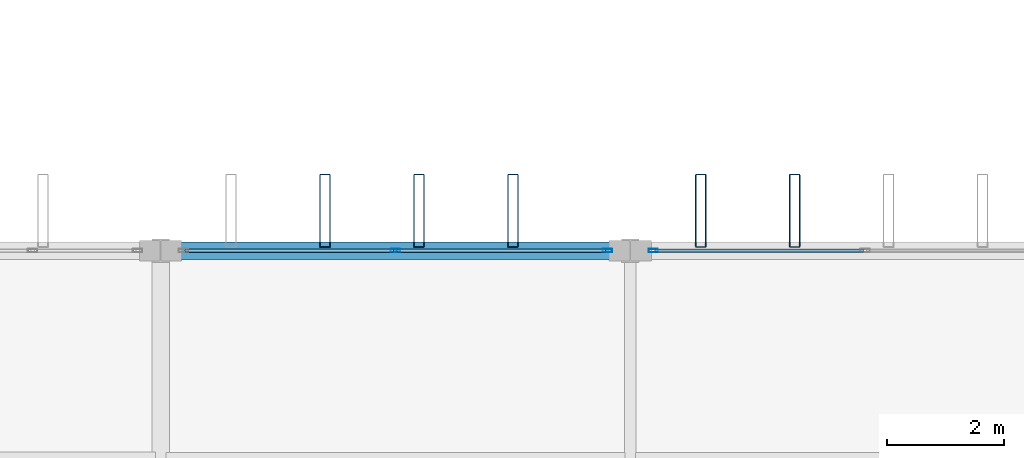
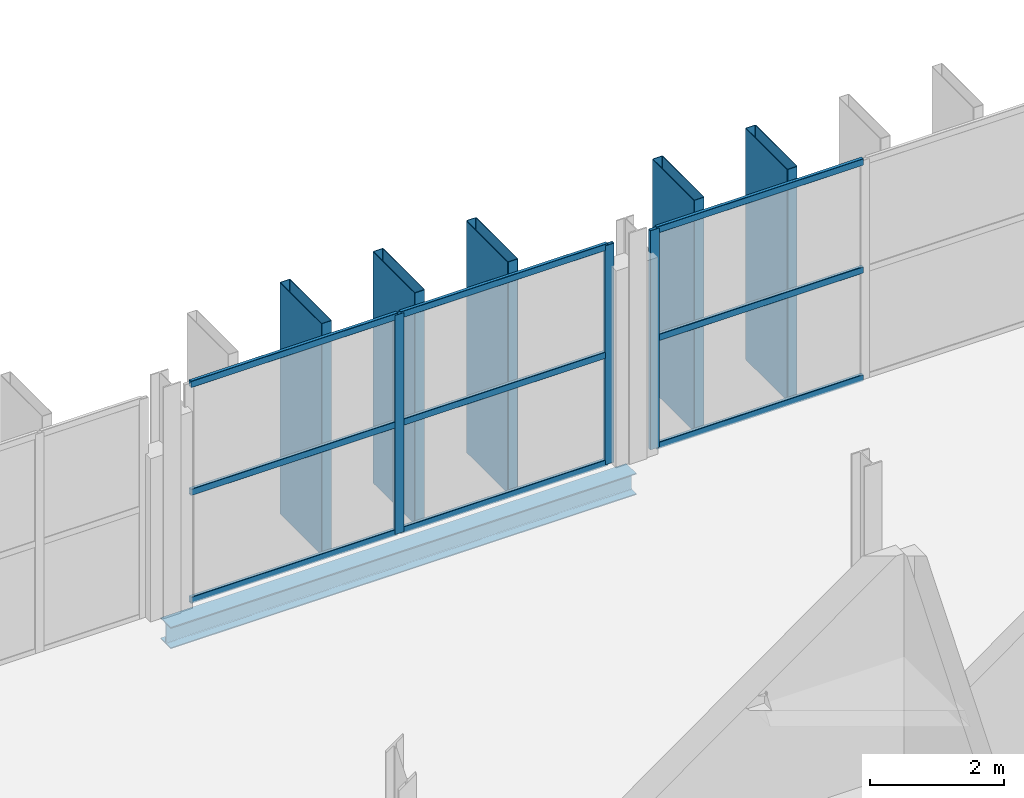
# One storey, part 42 of 101: 17 members, 1 beam, 2 elements without a shape of their own.
"""IFC4 building model written with IfcOpenShell, lengths in metres."""

from ifc_helpers import new_model, si_unit, direction, frame, origin, origin_2d, place, context, subcontext, project, spatial, hollow_rectangle, i_section, extrude, material, layer, layer_set, material_profile, profile_set, type_object, element, aggregate, save


model = new_model("IFC4")

# Units and contexts
model_context = context("Model", 3, precision=1e-05, world=origin(), true_north=direction((0.0, 1.0)))
body_context = subcontext(model_context, "Body", "Model", "MODEL_VIEW")
ifc_project = project(units=[si_unit("LENGTHUNIT", "METRE"), si_unit("AREAUNIT", "SQUARE_METRE"), si_unit("VOLUMEUNIT", "CUBIC_METRE"), si_unit("PLANEANGLEUNIT", "RADIAN"), si_unit("MASSUNIT", "GRAM", prefix="KILO")], contexts=[model_context])

# Site, building, storey
site_placement = place(None, origin())
site = spatial("IfcSite", under=ifc_project, at=site_placement, CompositionType="ELEMENT")
building_placement = place(site_placement, origin())
building = spatial("IfcBuilding", under=site, at=building_placement, Name="Vekula Escarpment Museum", CompositionType="ELEMENT")
storey_placement = place(building_placement, frame((0.0, 0.0, 18.0)))
storey = spatial("IfcBuildingStorey", under=building, at=storey_placement, Name="L04", CompositionType="ELEMENT", Elevation=18.0)

# Beam
ifc_material_1 = material(Name="Steel S355", Category="steel")
ifc_material_profile_1 = material_profile(ifc_material_1, i_section(OverallWidth=0.300048828125, OverallDepth=0.389892578125, WebThickness=0.010986328125, FlangeThickness=0.01904296875, FilletRadius=0.027099609375, at=origin_2d()), Name="HEA 400")
ifc_profile_set_1 = profile_set([ifc_material_profile_1], Name="Steel S355")
beam_type = type_object("IfcBeamType", Name="BM-SPAN-HEA400", PredefinedType="SPANDREL", material=ifc_profile_set_1)
beam_placement = place(storey_placement, frame((86.0, 90.39990234375, -0.43505859375), z_axis=(1.0, 0.0, 0.0), x_axis=(0.0, 1.0, 0.0)))
element("IfcBeam", 1, at=beam_placement, inside=storey, type_object=beam_type, Name="Beam X L04 1784", PredefinedType="SPANDREL", context=body_context, shape_type="SweptSolid", body=[
    extrude(i_section(OverallWidth=0.300048828125, OverallDepth=0.389892578125, WebThickness=0.010986328125, FlangeThickness=0.01904296875, FilletRadius=0.027099609375, at=origin_2d()), origin(), (0.0, 0.0, 1.0), 8.0),
])

# Curtain wall, member
ifc_material_2 = material(Name="Aluminium thermally broken framing", Category="aluminium")
ifc_layer_1 = layer(ifc_material_2, 0.179931640625)
ifc_layer_set_1 = layer_set([ifc_layer_1], Name="Aluminium thermally broken framing")
curtain_wall_type_1 = type_object("IfcCurtainWallType", Name="CW-SYS-07", PredefinedType="NOTDEFINED", material=ifc_layer_set_1)
curtain_wall_1_placement = place(storey_placement, origin())
curtain_wall_1 = element("IfcCurtainWall", 2, at=curtain_wall_1_placement, inside=storey, type_object=curtain_wall_type_1, Name="Curtain Wall CW-L04-157", PredefinedType="NOTDEFINED")
ifc_material_3 = material(Name="Aluminium anodized mullion", Category="aluminium")
ifc_material_profile_2 = material_profile(ifc_material_3, hollow_rectangle(XDim=0.06005859375, YDim=0.159912109375, WallThickness=0.00390625, InnerFilletRadius=0.00390625, OuterFilletRadius=0.008056640625, at=origin_2d()), Name="ALU 160x60x4")
ifc_profile_set_2 = profile_set([ifc_material_profile_2], Name="Aluminium anodized mullion")
member_type_1 = type_object("IfcMemberType", Name="CW-MUL-160", PredefinedType="MULLION", material=ifc_profile_set_2)
member_1_placement = place(storey_placement, frame((94.389892578125, 90.39990234375, 0.0), z_axis=(0.0, 0.0, 1.0), x_axis=(0.0, -1.0, 0.0)))
member_1 = element("IfcMember", 3, at=member_1_placement, type_object=member_type_1, Name="CW-07 mullion 3", PredefinedType="MULLION", context=body_context, shape_type="SweptSolid", body=[
    extrude(hollow_rectangle(XDim=0.06005859375, YDim=0.159912109375, WallThickness=0.00390625, InnerFilletRadius=0.00390625, OuterFilletRadius=0.008056640625, at=origin_2d()), origin(), (0.0, 0.0, 1.0), 3.97998046875),
])

# Curtain wall, members
ifc_material_4 = material(Name="Aluminium thermally broken framing", Category="aluminium")
ifc_layer_2 = layer(ifc_material_4, 0.179931640625)
ifc_layer_set_2 = layer_set([ifc_layer_2], Name="Aluminium thermally broken framing")
curtain_wall_type_2 = type_object("IfcCurtainWallType", Name="CW-SYS-08", PredefinedType="NOTDEFINED", material=ifc_layer_set_2)
curtain_wall_2_placement = place(storey_placement, origin())
curtain_wall_2 = element("IfcCurtainWall", 4, at=curtain_wall_2_placement, inside=storey, type_object=curtain_wall_type_2, Name="Curtain Wall CW-L04-158", PredefinedType="NOTDEFINED")
member_2_placement = place(storey_placement, frame((93.610107421875, 90.39990234375, 0.0), z_axis=(0.0, 0.0, 1.0), x_axis=(0.0, -1.0, 0.0)))
member_2 = element("IfcMember", 5, at=member_2_placement, type_object=member_type_1, Name="CW-08 mullion 1", PredefinedType="MULLION", context=body_context, shape_type="SweptSolid", body=[
    extrude(hollow_rectangle(XDim=0.06005859375, YDim=0.159912109375, WallThickness=0.00390625, InnerFilletRadius=0.00390625, OuterFilletRadius=0.008056640625, at=origin_2d()), origin(), (0.0, 0.0, 1.0), 3.97998046875),
])
member_3_placement = place(storey_placement, frame((90.0, 90.39990234375, 0.0), z_axis=(0.0, 0.0, 1.0), x_axis=(0.0, -1.0, 0.0)))
member_3 = element("IfcMember", 6, at=member_3_placement, type_object=member_type_1, Name="CW-08 mullion 2", PredefinedType="MULLION", context=body_context, shape_type="SweptSolid", body=[
    extrude(hollow_rectangle(XDim=0.06005859375, YDim=0.159912109375, WallThickness=0.00390625, InnerFilletRadius=0.00390625, OuterFilletRadius=0.008056640625, at=origin_2d()), origin(), (0.0, 0.0, 1.0), 3.97998046875),
])

# Member
ifc_material_5 = material(Name="Aluminium anodized transom", Category="aluminium")
ifc_material_profile_3 = material_profile(ifc_material_5, hollow_rectangle(XDim=0.06005859375, YDim=0.1201171875, WallThickness=0.00390625, InnerFilletRadius=0.00390625, OuterFilletRadius=0.008056640625, at=origin_2d()), Name="ALU 120x60x4")
ifc_profile_set_3 = profile_set([ifc_material_profile_3], Name="Aluminium anodized transom")
member_type_2 = type_object("IfcMemberType", Name="CW-TRN-120", PredefinedType="USERDEFINED", material=ifc_profile_set_3)
member_4_placement = place(storey_placement, frame((97.969970703125, 90.39990234375, 0.030029296875), z_axis=(-1.0, 0.0, 0.0), x_axis=(0.0, -1.0, 0.0)))
member_4 = element("IfcMember", 7, at=member_4_placement, type_object=member_type_2, Name="CW-07 transom 2.1", ObjectType="TRANSOM", PredefinedType="USERDEFINED", context=body_context, shape_type="SweptSolid", body=[
    extrude(hollow_rectangle(XDim=0.06005859375, YDim=0.1201171875, WallThickness=0.00390625, InnerFilletRadius=0.00390625, OuterFilletRadius=0.008056640625, at=origin_2d()), origin(), (0.0, 0.0, 1.0), 3.550048828125),
])

member_5_placement = place(storey_placement, frame((97.969970703125, 90.39990234375, 1.989990234375), z_axis=(-1.0, 0.0, 0.0), x_axis=(0.0, -1.0, 0.0)))
member_5 = element("IfcMember", 8, at=member_5_placement, type_object=member_type_2, Name="CW-07 transom 2.2", ObjectType="TRANSOM", PredefinedType="USERDEFINED", context=body_context, shape_type="SweptSolid", body=[
    extrude(hollow_rectangle(XDim=0.06005859375, YDim=0.1201171875, WallThickness=0.00390625, InnerFilletRadius=0.00390625, OuterFilletRadius=0.008056640625, at=origin_2d()), origin(), (0.0, 0.0, 1.0), 3.550048828125),
])

member_6_placement = place(storey_placement, frame((97.969970703125, 90.39990234375, 3.949951171875), z_axis=(-1.0, 0.0, 0.0), x_axis=(0.0, -1.0, 0.0)))
member_6 = element("IfcMember", 9, at=member_6_placement, type_object=member_type_2, Name="CW-07 transom 2.3", ObjectType="TRANSOM", PredefinedType="USERDEFINED", context=body_context, shape_type="SweptSolid", body=[
    extrude(hollow_rectangle(XDim=0.06005859375, YDim=0.1201171875, WallThickness=0.00390625, InnerFilletRadius=0.00390625, OuterFilletRadius=0.008056640625, at=origin_2d()), origin(), (0.0, 0.0, 1.0), 3.550048828125),
])

aggregate(curtain_wall_1, [member_1, member_4, member_5, member_6])

member_7_placement = place(storey_placement, frame((93.580078125, 90.39990234375, 0.030029296875), z_axis=(-1.0, 0.0, 0.0), x_axis=(0.0, -1.0, 0.0)))
member_7 = element("IfcMember", 10, at=member_7_placement, type_object=member_type_2, Name="CW-08 transom 1.1", ObjectType="TRANSOM", PredefinedType="USERDEFINED", context=body_context, shape_type="SweptSolid", body=[
    extrude(hollow_rectangle(XDim=0.06005859375, YDim=0.1201171875, WallThickness=0.00390625, InnerFilletRadius=0.00390625, OuterFilletRadius=0.008056640625, at=origin_2d()), origin(), (0.0, 0.0, 1.0), 3.550048828125),
])

member_8_placement = place(storey_placement, frame((93.580078125, 90.39990234375, 1.989990234375), z_axis=(-1.0, 0.0, 0.0), x_axis=(0.0, -1.0, 0.0)))
member_8 = element("IfcMember", 11, at=member_8_placement, type_object=member_type_2, Name="CW-08 transom 1.2", ObjectType="TRANSOM", PredefinedType="USERDEFINED", context=body_context, shape_type="SweptSolid", body=[
    extrude(hollow_rectangle(XDim=0.06005859375, YDim=0.1201171875, WallThickness=0.00390625, InnerFilletRadius=0.00390625, OuterFilletRadius=0.008056640625, at=origin_2d()), origin(), (0.0, 0.0, 1.0), 3.550048828125),
])

member_9_placement = place(storey_placement, frame((93.580078125, 90.39990234375, 3.949951171875), z_axis=(-1.0, 0.0, 0.0), x_axis=(0.0, -1.0, 0.0)))
member_9 = element("IfcMember", 12, at=member_9_placement, type_object=member_type_2, Name="CW-08 transom 1.3", ObjectType="TRANSOM", PredefinedType="USERDEFINED", context=body_context, shape_type="SweptSolid", body=[
    extrude(hollow_rectangle(XDim=0.06005859375, YDim=0.1201171875, WallThickness=0.00390625, InnerFilletRadius=0.00390625, OuterFilletRadius=0.008056640625, at=origin_2d()), origin(), (0.0, 0.0, 1.0), 3.550048828125),
])

member_10_placement = place(storey_placement, frame((89.969970703125, 90.39990234375, 0.030029296875), z_axis=(-1.0, 0.0, 0.0), x_axis=(0.0, -1.0, 0.0)))
member_10 = element("IfcMember", 13, at=member_10_placement, type_object=member_type_2, Name="CW-08 transom 2.1", ObjectType="TRANSOM", PredefinedType="USERDEFINED", context=body_context, shape_type="SweptSolid", body=[
    extrude(hollow_rectangle(XDim=0.06005859375, YDim=0.1201171875, WallThickness=0.00390625, InnerFilletRadius=0.00390625, OuterFilletRadius=0.008056640625, at=origin_2d()), origin(), (0.0, 0.0, 1.0), 3.550048828125),
])

member_11_placement = place(storey_placement, frame((89.969970703125, 90.39990234375, 1.989990234375), z_axis=(-1.0, 0.0, 0.0), x_axis=(0.0, -1.0, 0.0)))
member_11 = element("IfcMember", 14, at=member_11_placement, type_object=member_type_2, Name="CW-08 transom 2.2", ObjectType="TRANSOM", PredefinedType="USERDEFINED", context=body_context, shape_type="SweptSolid", body=[
    extrude(hollow_rectangle(XDim=0.06005859375, YDim=0.1201171875, WallThickness=0.00390625, InnerFilletRadius=0.00390625, OuterFilletRadius=0.008056640625, at=origin_2d()), origin(), (0.0, 0.0, 1.0), 3.550048828125),
])

member_12_placement = place(storey_placement, frame((89.969970703125, 90.39990234375, 3.949951171875), z_axis=(-1.0, 0.0, 0.0), x_axis=(0.0, -1.0, 0.0)))
member_12 = element("IfcMember", 15, at=member_12_placement, type_object=member_type_2, Name="CW-08 transom 2.3", ObjectType="TRANSOM", PredefinedType="USERDEFINED", context=body_context, shape_type="SweptSolid", body=[
    extrude(hollow_rectangle(XDim=0.06005859375, YDim=0.1201171875, WallThickness=0.00390625, InnerFilletRadius=0.00390625, OuterFilletRadius=0.008056640625, at=origin_2d()), origin(), (0.0, 0.0, 1.0), 3.550048828125),
])

aggregate(curtain_wall_2, [member_2, member_3, member_7, member_8, member_9, member_10, member_11, member_12])

# Members
ifc_material_6 = material(Name="Steel S355 weathered bronze solar fin", Category="steel")
ifc_material_profile_4 = material_profile(ifc_material_6, hollow_rectangle(XDim=0.179931640625, YDim=1.25, WallThickness=0.010009765625, InnerFilletRadius=0.010009765625, OuterFilletRadius=0.02001953125, at=origin_2d()), Name="RHS 1250x180x10")
ifc_profile_set_4 = profile_set([ifc_material_profile_4], Name="Steel S355 weathered bronze solar fin")
member_type_3 = type_object("IfcMemberType", Name="MB-SOLAR-FIN", PredefinedType="USERDEFINED", material=ifc_profile_set_4)
for number, where, z_axis, x_axis, name in (
    (16, (88.800048828125, 91.080078125, 0.0), (0.0, 0.0, 1.0), (1.0, 0.0, 0.0), "Great Hall Vertical Solar Fin 0184"),
    (17, (90.39990234375, 91.080078125, 0.0), (0.0, 0.0, 1.0), (1.0, 0.0, 0.0), "Great Hall Vertical Solar Fin 0189"),
    (18, (92.0, 91.080078125, 0.0), (0.0, 0.0, 1.0), (1.0, 0.0, 0.0), "Great Hall Vertical Solar Fin 0194"),
    (19, (95.199951171875, 91.080078125, 0.0), (0.0, 0.0, 1.0), (1.0, 0.0, 0.0), "Great Hall Vertical Solar Fin 0199"),
    (20, (96.800048828125, 91.080078125, 0.0), (0.0, 0.0, 1.0), (1.0, 0.0, 0.0), "Great Hall Vertical Solar Fin 0204"),
):
    element("IfcMember", number, at=place(storey_placement, frame(where, z_axis=z_axis, x_axis=x_axis)), inside=storey, type_object=member_type_3, Name=name, ObjectType="SOLAR FIN", PredefinedType="USERDEFINED", context=body_context, shape_type="SweptSolid", body=[
        extrude(hollow_rectangle(XDim=0.179931640625, YDim=1.25, WallThickness=0.010009765625, InnerFilletRadius=0.010009765625, OuterFilletRadius=0.02001953125, at=origin_2d()), origin(), (0.0, 0.0, 1.0), 4.199951171875),
    ])

save(model, "model.ifc")
